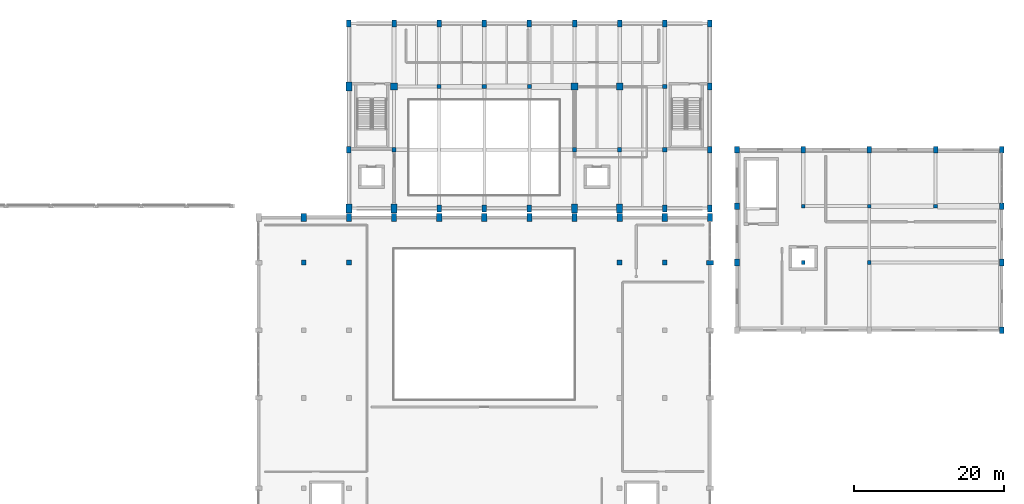
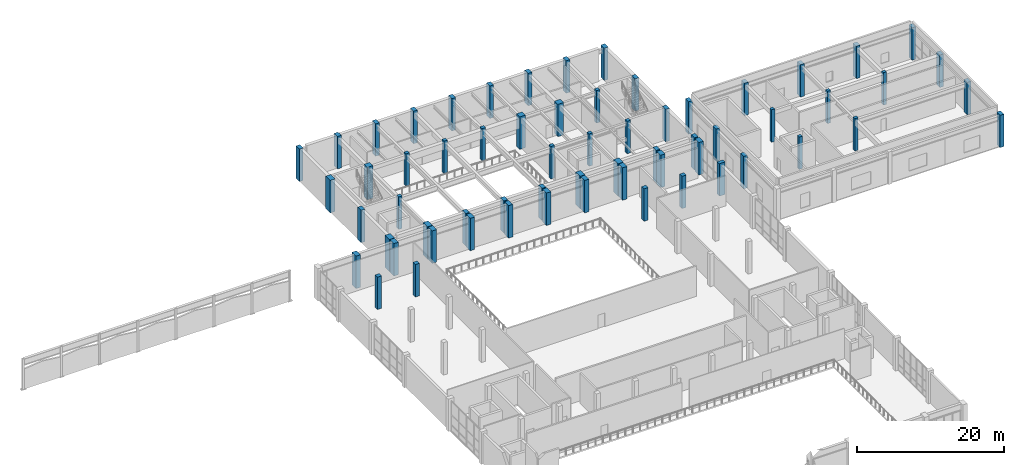
# One storey, part 3 of 41: 63 columns.
"""IFC4 building model written with IfcOpenShell, lengths in metres."""

from ifc_helpers import new_model, si_unit, direction, frame, origin, origin_2d, place, context, subcontext, project, spatial, rectangle, extrude, material, material_profile, profile_set, type_object, element, save


model = new_model("IFC4")

# Units and contexts
model_context = context("Model", 3, precision=1e-05, world=origin(), true_north=direction((0.0, 1.0)))
body_context = subcontext(model_context, "Body", "Model", "MODEL_VIEW")
ifc_project = project(units=[si_unit("LENGTHUNIT", "METRE"), si_unit("AREAUNIT", "SQUARE_METRE"), si_unit("VOLUMEUNIT", "CUBIC_METRE"), si_unit("PLANEANGLEUNIT", "RADIAN"), si_unit("MASSUNIT", "GRAM", prefix="KILO")], contexts=[model_context])

# Site, building, storey
site_placement = place(None, origin())
site = spatial("IfcSite", under=ifc_project, at=site_placement, CompositionType="ELEMENT")
building_placement = place(site_placement, origin())
building = spatial("IfcBuilding", under=site, at=building_placement, Name="Vaelkrest Opera House", CompositionType="ELEMENT")
storey_placement = place(building_placement, frame((0.0, 0.0, 24.60009765625)))
storey = spatial("IfcBuildingStorey", under=building, at=storey_placement, Name="L05", CompositionType="ELEMENT", Elevation=24.60009765625)

# Columns
ifc_material = material(Name="Concrete C50/60", Category="concrete")
ifc_material_profile_1 = material_profile(ifc_material, rectangle(XDim=0.5, YDim=0.5, at=origin_2d()), Name="RC500X500")
ifc_profile_set_1 = profile_set([ifc_material_profile_1], Name="Concrete C50/60")
column_type_1 = type_object("IfcColumnType", Name="C01", PredefinedType="COLUMN", material=ifc_profile_set_1)
for number, where, z_axis, x_axis, name in (
    (1, (42.39990234375, 10.199951171875, 0.0), (0.0, 0.0, 1.0), (1.0, 0.0, 0.0), "Column COL-V4-L05-1400"),
    (2, (42.39990234375, 17.699951171875, 0.0), (0.0, 0.0, 1.0), (1.0, 0.0, 0.0), "Column COL-V4-L05-1401"),
    (3, (51.199951171875, 10.199951171875, 0.0), (0.0, 0.0, 1.0), (1.0, 0.0, 0.0), "Column COL-V4-L05-1404"),
    (4, (51.199951171875, 17.699951171875, 0.0), (0.0, 0.0, 1.0), (1.0, 0.0, 0.0), "Column COL-V4-L05-1405"),
    (5, (60.0, 17.699951171875, 0.0), (0.0, 0.0, 1.0), (1.0, 0.0, 0.0), "Column COL-V4-L05-1407"),
):
    element("IfcColumn", number, at=place(storey_placement, frame(where, z_axis=z_axis, x_axis=x_axis)), inside=storey, type_object=column_type_1, Name=name, PredefinedType="COLUMN", context=body_context, shape_type="SweptSolid", body=[
        extrude(rectangle(XDim=0.5, YDim=0.5, at=origin_2d()), origin(), (0.0, 0.0, 1.0), 5.39990234375),
    ])
ifc_material_profile_2 = material_profile(ifc_material, rectangle(XDim=0.89990234375, YDim=0.89990234375, at=origin_2d()), Name="RC900X900")
ifc_profile_set_2 = profile_set([ifc_material_profile_2], Name="Concrete C50/60")
column_type_2 = type_object("IfcColumnType", Name="C05", PredefinedType="COLUMN", material=ifc_profile_set_2)
for number, where, z_axis, x_axis, name in (
    (6, (-12.0, 33.60009765625, 0.0), (0.0, 0.0, 1.0), (1.0, 0.0, 0.0), "Column COL-V2-L05-0731"),
    (7, (12.0, 33.60009765625, 0.0), (0.0, 0.0, 1.0), (1.0, 0.0, 0.0), "Column COL-V2-L05-0744"),
    (8, (18.0, 33.60009765625, 0.0), (0.0, 0.0, 1.0), (1.0, 0.0, 0.0), "Column COL-V2-L05-0748"),
):
    element("IfcColumn", number, at=place(storey_placement, frame(where, z_axis=z_axis, x_axis=x_axis)), inside=storey, type_object=column_type_2, Name=name, PredefinedType="COLUMN", context=body_context, shape_type="SweptSolid", body=[
        extrude(rectangle(XDim=0.89990234375, YDim=0.89990234375, at=origin_2d()), origin(), (0.0, 0.0, 1.0), 5.39990234375),
    ])
ifc_material_profile_3 = material_profile(ifc_material, rectangle(XDim=0.60009765625, YDim=0.89990234375, at=origin_2d()), Name="RC600X900")
ifc_profile_set_3 = profile_set([ifc_material_profile_3], Name="Concrete C50/60")
column_type_3 = type_object("IfcColumnType", Name="C06", PredefinedType="COLUMN", material=ifc_profile_set_3)
for number, where, z_axis, x_axis, name in (
    (9, (30.0, 10.199951171875, 0.0), (0.0, 0.0, 1.0), (0.0, 1.0, 0.0), "Column COL-V1-L05-0454"),
    (10, (-18.0, 25.199951171875, 0.0), (0.0, 0.0, 1.0), (1.0, 0.0, 0.0), "Column COL-V2-L05-0726"),
    (11, (-18.0, 42.0, 0.0), (0.0, 0.0, 1.0), (1.0, 0.0, 0.0), "Column COL-V2-L05-0728"),
    (12, (-12.0, 42.0, 0.0), (0.0, 0.0, 1.0), (1.0, 0.0, 0.0), "Column COL-V2-L05-0732"),
    (13, (-6.0, 17.39990234375, 0.0), (0.0, 0.0, 1.0), (1.0, 0.0, 0.0), "Column COL-V2-L05-0733"),
    (14, (-6.0, 42.0, 0.0), (0.0, 0.0, 1.0), (1.0, 0.0, 0.0), "Column COL-V2-L05-0735"),
    (15, (0.0, 17.39990234375, 0.0), (0.0, 0.0, 1.0), (1.0, 0.0, 0.0), "Column COL-V2-L05-0736"),
    (16, (0.0, 42.0, 0.0), (0.0, 0.0, 1.0), (1.0, 0.0, 0.0), "Column COL-V2-L05-0738"),
    (17, (6.0, 17.39990234375, 0.0), (0.0, 0.0, 1.0), (1.0, 0.0, 0.0), "Column COL-V2-L05-0739"),
    (18, (6.0, 42.0, 0.0), (0.0, 0.0, 1.0), (1.0, 0.0, 0.0), "Column COL-V2-L05-0741"),
    (19, (12.0, 42.0, 0.0), (0.0, 0.0, 1.0), (1.0, 0.0, 0.0), "Column COL-V2-L05-0745"),
    (20, (18.0, 42.0, 0.0), (0.0, 0.0, 1.0), (1.0, 0.0, 0.0), "Column COL-V2-L05-0749"),
    (21, (24.0, 17.39990234375, 0.0), (0.0, 0.0, 1.0), (1.0, 0.0, 0.0), "Column COL-V2-L05-0750"),
    (22, (24.0, 42.0, 0.0), (0.0, 0.0, 1.0), (1.0, 0.0, 0.0), "Column COL-V2-L05-0753"),
    (23, (30.0, 17.39990234375, 0.0), (0.0, 0.0, 1.0), (1.0, 0.0, 0.0), "Column COL-V2-L05-0754"),
    (24, (30.0, 25.199951171875, 0.0), (0.0, 0.0, 1.0), (1.0, 0.0, 0.0), "Column COL-V2-L05-0755"),
    (25, (30.0, 33.60009765625, 0.0), (0.0, 0.0, 1.0), (1.0, 0.0, 0.0), "Column COL-V2-L05-0756"),
    (26, (30.0, 42.0, 0.0), (0.0, 0.0, 1.0), (1.0, 0.0, 0.0), "Column COL-V2-L05-0757"),
    (27, (33.60009765625, 10.199951171875, 0.0), (0.0, 0.0, 1.0), (1.0, 0.0, 0.0), "Column COL-V4-L05-1396"),
    (28, (33.60009765625, 17.699951171875, 0.0), (0.0, 0.0, 1.0), (1.0, 0.0, 0.0), "Column COL-V4-L05-1397"),
    (29, (33.60009765625, 25.199951171875, 0.0), (0.0, 0.0, 1.0), (1.0, 0.0, 0.0), "Column COL-V4-L05-1398"),
    (30, (42.39990234375, 25.199951171875, 0.0), (0.0, 0.0, 1.0), (1.0, 0.0, 0.0), "Column COL-V4-L05-1402"),
    (31, (51.199951171875, 25.199951171875, 0.0), (0.0, 0.0, 1.0), (1.0, 0.0, 0.0), "Column COL-V4-L05-1406"),
    (32, (60.0, 25.199951171875, 0.0), (0.0, 0.0, 1.0), (1.0, 0.0, 0.0), "Column COL-V4-L05-1408"),
    (33, (68.800048828125, 1.199951171875, 0.0), (0.0, 0.0, 1.0), (1.0, 0.0, 0.0), "Column COL-V4-L05-1409"),
    (34, (68.800048828125, 10.199951171875, 0.0), (0.0, 0.0, 1.0), (1.0, 0.0, 0.0), "Column COL-V4-L05-1410"),
    (35, (68.800048828125, 17.699951171875, 0.0), (0.0, 0.0, 1.0), (1.0, 0.0, 0.0), "Column COL-V4-L05-1411"),
    (36, (68.800048828125, 25.199951171875, 0.0), (0.0, 0.0, 1.0), (1.0, 0.0, 0.0), "Column COL-V4-L05-1412"),
):
    element("IfcColumn", number, at=place(storey_placement, frame(where, z_axis=z_axis, x_axis=x_axis)), inside=storey, type_object=column_type_3, Name=name, PredefinedType="COLUMN", context=body_context, shape_type="SweptSolid", body=[
        extrude(rectangle(XDim=0.60009765625, YDim=0.89990234375, at=origin_2d()), origin(), (0.0, 0.0, 1.0), 5.39990234375),
    ])
ifc_material_profile_4 = material_profile(ifc_material, rectangle(XDim=0.699951171875, YDim=1.10009765625, at=origin_2d()), Name="RC700X1100")
ifc_profile_set_4 = profile_set([ifc_material_profile_4], Name="Concrete C50/60")
column_type_4 = type_object("IfcColumnType", Name="C07", PredefinedType="COLUMN", material=ifc_profile_set_4)
for number, where, z_axis, x_axis, name in (
    (37, (-24.0, 16.199951171875, 0.0), (0.0, 0.0, 1.0), (1.0, 0.0, 0.0), "Column COL-V1-L05-0410"),
    (38, (-18.0, 16.199951171875, 0.0), (0.0, 0.0, 1.0), (1.0, 0.0, 0.0), "Column COL-V1-L05-0417"),
    (39, (-12.0, 16.199951171875, 0.0), (0.0, 0.0, 1.0), (1.0, 0.0, 0.0), "Column COL-V1-L05-0420"),
    (40, (-6.0, 16.199951171875, 0.0), (0.0, 0.0, 1.0), (1.0, 0.0, 0.0), "Column COL-V1-L05-0423"),
    (41, (0.0, 16.199951171875, 0.0), (0.0, 0.0, 1.0), (1.0, 0.0, 0.0), "Column COL-V1-L05-0426"),
    (42, (6.0, 16.199951171875, 0.0), (0.0, 0.0, 1.0), (1.0, 0.0, 0.0), "Column COL-V1-L05-0429"),
    (43, (12.0, 16.199951171875, 0.0), (0.0, 0.0, 1.0), (1.0, 0.0, 0.0), "Column COL-V1-L05-0432"),
    (44, (18.0, 16.199951171875, 0.0), (0.0, 0.0, 1.0), (1.0, 0.0, 0.0), "Column COL-V1-L05-0439"),
    (45, (24.0, 16.199951171875, 0.0), (0.0, 0.0, 1.0), (1.0, 0.0, 0.0), "Column COL-V1-L05-0446"),
    (46, (30.0, 16.199951171875, 0.0), (0.0, 0.0, 1.0), (1.0, 0.0, 0.0), "Column COL-V1-L05-0455"),
):
    element("IfcColumn", number, at=place(storey_placement, frame(where, z_axis=z_axis, x_axis=x_axis)), inside=storey, type_object=column_type_4, Name=name, PredefinedType="COLUMN", context=body_context, shape_type="SweptSolid", body=[
        extrude(rectangle(XDim=0.699951171875, YDim=1.10009765625, at=origin_2d()), origin(), (0.0, 0.0, 1.0), 5.39990234375),
    ])
ifc_material_profile_5 = material_profile(ifc_material, rectangle(XDim=0.800048828125, YDim=1.199951171875, at=origin_2d()), Name="RC800X1200")
ifc_profile_set_5 = profile_set([ifc_material_profile_5], Name="Concrete C50/60")
column_type_5 = type_object("IfcColumnType", Name="C08", PredefinedType="COLUMN", material=ifc_profile_set_5)
for number, where, z_axis, x_axis, name in (
    (47, (-18.0, 17.39990234375, 0.0), (0.0, 0.0, 1.0), (1.0, 0.0, 0.0), "Column COL-V2-L05-0725"),
    (48, (-18.0, 33.60009765625, 0.0), (0.0, 0.0, 1.0), (1.0, 0.0, 0.0), "Column COL-V2-L05-0727"),
    (49, (-12.0, 17.39990234375, 0.0), (0.0, 0.0, 1.0), (1.0, 0.0, 0.0), "Column COL-V2-L05-0729"),
    (50, (12.0, 17.39990234375, 0.0), (0.0, 0.0, 1.0), (1.0, 0.0, 0.0), "Column COL-V2-L05-0742"),
    (51, (18.0, 17.39990234375, 0.0), (0.0, 0.0, 1.0), (1.0, 0.0, 0.0), "Column COL-V2-L05-0746"),
):
    element("IfcColumn", number, at=place(storey_placement, frame(where, z_axis=z_axis, x_axis=x_axis)), inside=storey, type_object=column_type_5, Name=name, PredefinedType="COLUMN", context=body_context, shape_type="SweptSolid", body=[
        extrude(rectangle(XDim=0.800048828125, YDim=1.199951171875, at=origin_2d()), origin(), (0.0, 0.0, 1.0), 5.39990234375),
    ])
ifc_material_profile_6 = material_profile(ifc_material, rectangle(XDim=0.550048828125, YDim=0.550048828125, at=origin_2d()), Name="RC550X550")
ifc_profile_set_6 = profile_set([ifc_material_profile_6], Name="Concrete C50/60")
column_type_6 = type_object("IfcColumnType", Name="C13", PredefinedType="COLUMN", material=ifc_profile_set_6)
for number, where, z_axis, x_axis, name in (
    (52, (-12.0, 25.199951171875, 0.0), (0.0, 0.0, 1.0), (1.0, 0.0, 0.0), "Column COL-V2-L05-0730"),
    (53, (-6.0, 33.60009765625, 0.0), (0.0, 0.0, 1.0), (1.0, 0.0, 0.0), "Column COL-V2-L05-0734"),
    (54, (0.0, 33.60009765625, 0.0), (0.0, 0.0, 1.0), (1.0, 0.0, 0.0), "Column COL-V2-L05-0737"),
    (55, (6.0, 33.60009765625, 0.0), (0.0, 0.0, 1.0), (1.0, 0.0, 0.0), "Column COL-V2-L05-0740"),
    (56, (12.0, 25.199951171875, 0.0), (0.0, 0.0, 1.0), (1.0, 0.0, 0.0), "Column COL-V2-L05-0743"),
    (57, (18.0, 25.199951171875, 0.0), (0.0, 0.0, 1.0), (1.0, 0.0, 0.0), "Column COL-V2-L05-0747"),
    (58, (24.0, 25.199951171875, 0.0), (0.0, 0.0, 1.0), (1.0, 0.0, 0.0), "Column COL-V2-L05-0751"),
    (59, (24.0, 33.60009765625, 0.0), (0.0, 0.0, 1.0), (1.0, 0.0, 0.0), "Column COL-V2-L05-0752"),
):
    element("IfcColumn", number, at=place(storey_placement, frame(where, z_axis=z_axis, x_axis=x_axis)), inside=storey, type_object=column_type_6, Name=name, PredefinedType="COLUMN", context=body_context, shape_type="SweptSolid", body=[
        extrude(rectangle(XDim=0.550048828125, YDim=0.550048828125, at=origin_2d()), origin(), (0.0, 0.0, 1.0), 5.39990234375),
    ])
ifc_material_profile_7 = material_profile(ifc_material, rectangle(XDim=0.64990234375, YDim=0.64990234375, at=origin_2d()), Name="RC650X650")
ifc_profile_set_7 = profile_set([ifc_material_profile_7], Name="Concrete C50/60")
column_type_7 = type_object("IfcColumnType", Name="C14", PredefinedType="COLUMN", material=ifc_profile_set_7)
for number, where, z_axis, x_axis, name in (
    (60, (-24.0, 10.199951171875, 0.0), (0.0, 0.0, 1.0), (1.0, 0.0, 0.0), "Column COL-V1-L05-0409"),
    (61, (-18.0, 10.199951171875, 0.0), (0.0, 0.0, 1.0), (1.0, 0.0, 0.0), "Column COL-V1-L05-0416"),
    (62, (18.0, 10.199951171875, 0.0), (0.0, 0.0, 1.0), (1.0, 0.0, 0.0), "Column COL-V1-L05-0438"),
    (63, (24.0, 10.199951171875, 0.0), (0.0, 0.0, 1.0), (1.0, 0.0, 0.0), "Column COL-V1-L05-0445"),
):
    element("IfcColumn", number, at=place(storey_placement, frame(where, z_axis=z_axis, x_axis=x_axis)), inside=storey, type_object=column_type_7, Name=name, PredefinedType="COLUMN", context=body_context, shape_type="SweptSolid", body=[
        extrude(rectangle(XDim=0.64990234375, YDim=0.64990234375, at=origin_2d()), origin(), (0.0, 0.0, 1.0), 5.39990234375),
    ])

save(model, "model.ifc")
